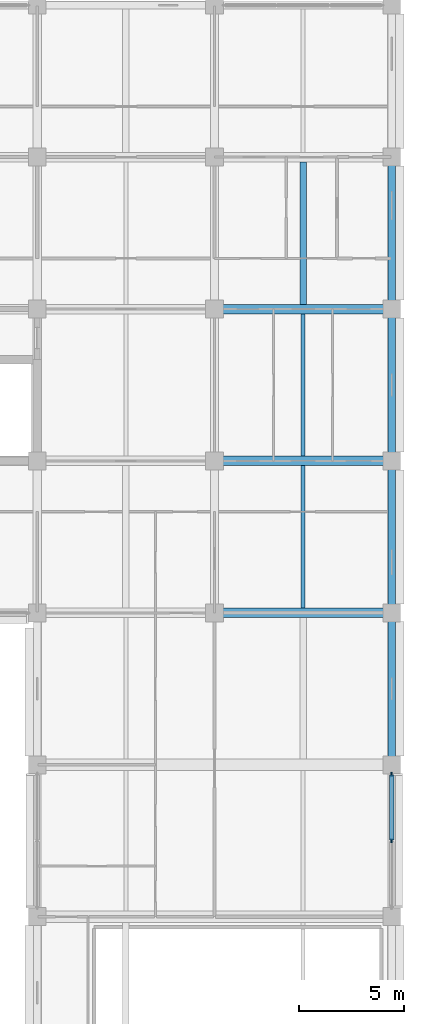
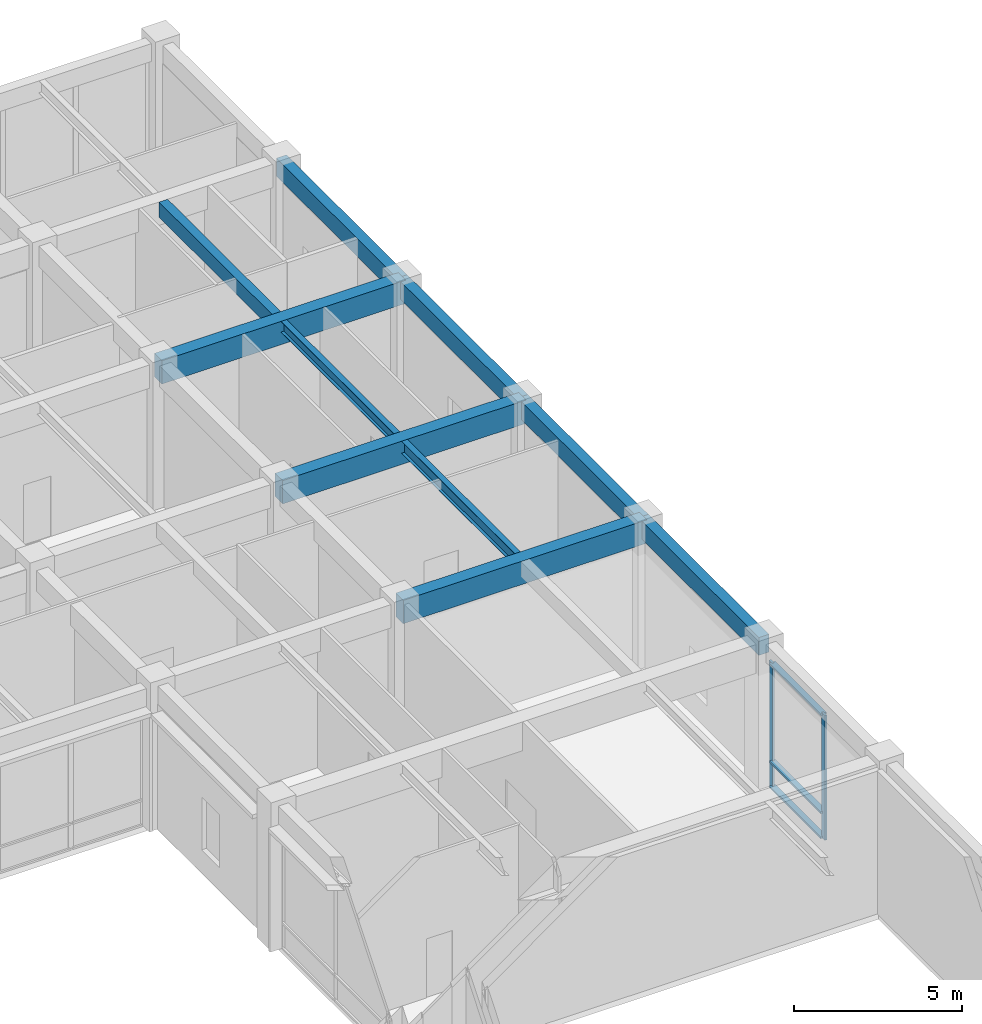
# One storey, part 23 of 58: 10 beams, 5 members, 1 element without a shape of its own.
"""IFC4 building model written with IfcOpenShell, lengths in metres."""

from ifc_helpers import new_model, si_unit, direction, frame, origin, origin_2d, place, context, subcontext, project, spatial, rectangle, i_section, extrude, material, layer, layer_set, material_profile, profile_set, type_object, element, aggregate, save


model = new_model("IFC4")

# Units and contexts
model_context = context("Model", 3, precision=1e-05, world=origin(), true_north=direction((0.0, 1.0)))
body_context = subcontext(model_context, "Body", "Model", "MODEL_VIEW")
ifc_project = project(units=[si_unit("LENGTHUNIT", "METRE"), si_unit("AREAUNIT", "SQUARE_METRE"), si_unit("VOLUMEUNIT", "CUBIC_METRE"), si_unit("PLANEANGLEUNIT", "RADIAN"), si_unit("MASSUNIT", "GRAM", prefix="KILO")], contexts=[model_context])

# Site, building, storey
site_placement = place(None, origin())
site = spatial("IfcSite", under=ifc_project, at=site_placement, CompositionType="ELEMENT")
building_placement = place(site_placement, origin())
building = spatial("IfcBuilding", under=site, at=building_placement, Name="Chengyuan Square Courthouse", CompositionType="ELEMENT")
storey_placement = place(building_placement, frame((0.0, 0.0, 16.199951171875)))
storey = spatial("IfcBuildingStorey", under=building, at=storey_placement, Name="L04", CompositionType="ELEMENT", Elevation=16.199951171875)

# Beams
ifc_material_1 = material(Name="Concrete C40", Category="concrete")
ifc_material_profile_1 = material_profile(ifc_material_1, rectangle(XDim=0.449951171875, YDim=0.85009765625, at=origin_2d()), Name="RC-BM-450x850")
ifc_profile_set_1 = profile_set([ifc_material_profile_1], Name="Concrete C40")
beam_type_1 = type_object("IfcBeamType", Name="BM-01", PredefinedType="USERDEFINED", material=ifc_profile_set_1)
for number, where, z_axis, x_axis, name in (
    (1, (159.60009765625, 79.199951171875, 4.775146484375), (1.0, 0.0, 0.0), (0.0, 1.0, 0.0), "Girder BM-L04-2880"),
    (2, (159.60009765625, 86.39990234375, 4.775146484375), (1.0, 0.0, 0.0), (0.0, 1.0, 0.0), "Girder BM-L04-2900"),
    (3, (159.60009765625, 93.60009765625, 4.775146484375), (1.0, 0.0, 0.0), (0.0, 1.0, 0.0), "Girder BM-L04-2920"),
):
    element("IfcBeam", number, at=place(storey_placement, frame(where, z_axis=z_axis, x_axis=x_axis)), inside=storey, type_object=beam_type_1, Name=name, ObjectType="GIRDER", PredefinedType="USERDEFINED", context=body_context, shape_type="SweptSolid", body=[
        extrude(rectangle(XDim=0.449951171875, YDim=0.85009765625, at=origin_2d()), origin(), (0.0, 0.0, 1.0), 8.39990234375),
    ])
ifc_material_profile_2 = material_profile(ifc_material_1, rectangle(XDim=0.35009765625, YDim=0.64990234375, at=origin_2d()), Name="RC-BM-350x650")
ifc_profile_set_2 = profile_set([ifc_material_profile_2], Name="Concrete C40")
beam_type_2 = type_object("IfcBeamType", Name="BM-03", PredefinedType="SPANDREL", material=ifc_profile_set_2)
for number, where, z_axis, x_axis, name in (
    (4, (168.0, 72.0, 4.875), (0.0, 1.0, 0.0), (-1.0, 0.0, 0.0), "Girder BM-L04-3088"),
    (5, (168.0, 79.199951171875, 4.875), (0.0, 1.0, 0.0), (-1.0, 0.0, 0.0), "Girder BM-L04-3089"),
):
    element("IfcBeam", number, at=place(storey_placement, frame(where, z_axis=z_axis, x_axis=x_axis)), inside=storey, type_object=beam_type_2, Name=name, PredefinedType="SPANDREL", context=body_context, shape_type="SweptSolid", body=[
        extrude(rectangle(XDim=0.35009765625, YDim=0.64990234375, at=origin_2d()), origin(), (0.0, 0.0, 1.0), 7.199951171875),
    ])
beam_1_placement = place(storey_placement, frame((168.0, 86.39990234375, 4.875), z_axis=(0.0, 1.0, 0.0), x_axis=(-1.0, 0.0, 0.0)))
element("IfcBeam", 6, at=beam_1_placement, inside=storey, type_object=beam_type_2, Name="Girder BM-L04-3090", PredefinedType="SPANDREL", context=body_context, shape_type="SweptSolid", body=[
    extrude(rectangle(XDim=0.35009765625, YDim=0.64990234375, at=origin_2d()), origin(), (0.0, 0.0, 1.0), 7.2001953125),
])
beam_2_placement = place(storey_placement, frame((168.0, 93.60009765625, 4.875), z_axis=(0.0, 1.0, 0.0), x_axis=(-1.0, 0.0, 0.0)))
element("IfcBeam", 7, at=beam_2_placement, inside=storey, type_object=beam_type_2, Name="Girder BM-L04-3091", PredefinedType="SPANDREL", context=body_context, shape_type="SweptSolid", body=[
    extrude(rectangle(XDim=0.35009765625, YDim=0.64990234375, at=origin_2d()), origin(), (0.0, 0.0, 1.0), 7.199951171875),
])
ifc_material_profile_3 = material_profile(ifc_material_1, rectangle(XDim=0.300048828125, YDim=0.550048828125, at=origin_2d()), Name="RC-BM-300x550")
ifc_profile_set_3 = profile_set([ifc_material_profile_3], Name="Concrete C40")
beam_type_3 = type_object("IfcBeamType", Name="BM-04", PredefinedType="BEAM", material=ifc_profile_set_3)
beam_3_placement = place(storey_placement, frame((163.800048828125, 93.824951171875, 4.925048828125), z_axis=(0.0, 1.0, 0.0), x_axis=(-1.0, 0.0, 0.0)))
element("IfcBeam", 8, at=beam_3_placement, inside=storey, type_object=beam_type_3, Name="Secondary Floor Beam SBM-L04-3193", PredefinedType="BEAM", context=body_context, shape_type="SweptSolid", body=[
    extrude(rectangle(XDim=0.300048828125, YDim=0.550048828125, at=origin_2d()), origin(), (0.0, 0.0, 1.0), 6.75),
])
ifc_material_2 = material(Name="Steel Q355B", Category="steel")
ifc_material_profile_4 = material_profile(ifc_material_2, i_section(OverallWidth=0.199951171875, OverallDepth=0.449951171875, WebThickness=0.009033203125, FlangeThickness=0.013916015625, at=origin_2d()), Name="HN 450x200x9x14")
ifc_profile_set_4 = profile_set([ifc_material_profile_4], Name="Steel Q355B")
beam_type_4 = type_object("IfcBeamType", Name="BM-06", PredefinedType="BEAM", material=ifc_profile_set_4)
beam_4_placement = place(storey_placement, frame((163.800048828125, 79.425048828125, 4.97509765625), z_axis=(0.0, 1.0, 0.0), x_axis=(-1.0, 0.0, 0.0)))
element("IfcBeam", 9, at=beam_4_placement, inside=storey, type_object=beam_type_4, Name="Secondary Floor Beam SBM-L04-3191", PredefinedType="BEAM", context=body_context, shape_type="SweptSolid", body=[
    extrude(i_section(OverallWidth=0.199951171875, OverallDepth=0.449951171875, WebThickness=0.009033203125, FlangeThickness=0.013916015625, at=origin_2d()), origin(), (0.0, 0.0, 1.0), 6.75),
])
ifc_material_profile_5 = material_profile(ifc_material_2, i_section(OverallWidth=0.199951171875, OverallDepth=0.39990234375, WebThickness=0.008056640625, FlangeThickness=0.012939453125, at=origin_2d()), Name="HN 400x200x8x13")
ifc_profile_set_5 = profile_set([ifc_material_profile_5], Name="Steel Q355B")
beam_type_5 = type_object("IfcBeamType", Name="BM-07", PredefinedType="BEAM", material=ifc_profile_set_5)
beam_5_placement = place(storey_placement, frame((163.800048828125, 86.625, 5.0), z_axis=(0.0, 1.0, 0.0), x_axis=(-1.0, 0.0, 0.0)))
element("IfcBeam", 10, at=beam_5_placement, inside=storey, type_object=beam_type_5, Name="Secondary Floor Beam SBM-L04-3192", PredefinedType="BEAM", context=body_context, shape_type="SweptSolid", body=[
    extrude(i_section(OverallWidth=0.199951171875, OverallDepth=0.39990234375, WebThickness=0.008056640625, FlangeThickness=0.012939453125, at=origin_2d()), origin(), (0.0, 0.0, 1.0), 6.75),
])

# Curtain wall, members
ifc_material_3 = material(Name="Unitised Aluminium and Triple Low-E Glass", Category="aluminium")
ifc_layer = layer(ifc_material_3, 0.199951171875)
ifc_layer_set = layer_set([ifc_layer], Name="Unitised Aluminium and Triple Low-E Glass")
curtain_wall_type = type_object("IfcCurtainWallType", Name="CW-23", PredefinedType="USERDEFINED", material=ifc_layer_set)
curtain_wall_placement = place(storey_placement, origin())
curtain_wall = element("IfcCurtainWall", 11, at=curtain_wall_placement, inside=storey, type_object=curtain_wall_type, Name="Unitised Curtain Wall CW-L04-161", ObjectType="UNITISED CURTAIN WALL", PredefinedType="USERDEFINED")
ifc_material_4 = material(Name="Aluminium 6063-T6 Frame", Category="aluminium")
ifc_material_profile_6 = material_profile(ifc_material_4, rectangle(XDim=0.070068359375, YDim=0.199951171875, at=origin_2d()), Name="CW-MUL-70x200")
ifc_profile_set_6 = profile_set([ifc_material_profile_6], Name="Aluminium 6063-T6 Frame")
member_type_1 = type_object("IfcMemberType", Name="CWM-03", PredefinedType="MULLION", material=ifc_profile_set_6)
member_1_placement = place(storey_placement, frame((168.0, 68.39990234375, 0.0), z_axis=(0.0, 0.0, 1.0), x_axis=(-1.0, 0.0, 0.0)))
member_1 = element("IfcMember", 12, at=member_1_placement, type_object=member_type_1, Name="CW-23 mullion 2", PredefinedType="MULLION", context=body_context, shape_type="SweptSolid", body=[
    extrude(rectangle(XDim=0.070068359375, YDim=0.199951171875, at=origin_2d()), origin(), (0.0, 0.0, 1.0), 4.550048828125),
])
member_2_placement = place(storey_placement, frame((168.0, 71.5400390625, 0.0), z_axis=(0.0, 0.0, 1.0), x_axis=(-1.0, 0.0, 0.0)))
member_2 = element("IfcMember", 13, at=member_2_placement, type_object=member_type_1, Name="CW-23 mullion 3", PredefinedType="MULLION", context=body_context, shape_type="SweptSolid", body=[
    extrude(rectangle(XDim=0.070068359375, YDim=0.199951171875, at=origin_2d()), origin(), (0.0, 0.0, 1.0), 4.550048828125),
])
ifc_material_profile_7 = material_profile(ifc_material_4, rectangle(XDim=0.199951171875, YDim=0.070068359375, at=origin_2d()), Name="CW-TRN-70x160")
ifc_profile_set_7 = profile_set([ifc_material_profile_7], Name="Aluminium 6063-T6 Frame")
member_type_2 = type_object("IfcMemberType", Name="CWT-03", PredefinedType="USERDEFINED", material=ifc_profile_set_7)
member_3_placement = place(storey_placement, frame((168.0, 68.43505859375, 0.03515625), z_axis=(0.0, 1.0, 0.0), x_axis=(-1.0, 0.0, 0.0)))
member_3 = element("IfcMember", 14, at=member_3_placement, type_object=member_type_2, Name="CW-23 transom 2.1", ObjectType="TRANSOM", PredefinedType="USERDEFINED", context=body_context, shape_type="SweptSolid", body=[
    extrude(rectangle(XDim=0.199951171875, YDim=0.070068359375, at=origin_2d()), origin(), (0.0, 0.0, 1.0), 3.06982421875),
])
member_4_placement = place(storey_placement, frame((168.0, 68.43505859375, 0.949951171875), z_axis=(0.0, 1.0, 0.0), x_axis=(-1.0, 0.0, 0.0)))
member_4 = element("IfcMember", 15, at=member_4_placement, type_object=member_type_2, Name="CW-23 transom 2.2", ObjectType="TRANSOM", PredefinedType="USERDEFINED", context=body_context, shape_type="SweptSolid", body=[
    extrude(rectangle(XDim=0.199951171875, YDim=0.070068359375, at=origin_2d()), origin(), (0.0, 0.0, 1.0), 3.06982421875),
])
member_5_placement = place(storey_placement, frame((168.0, 68.43505859375, 4.51513671875), z_axis=(0.0, 1.0, 0.0), x_axis=(-1.0, 0.0, 0.0)))
member_5 = element("IfcMember", 16, at=member_5_placement, type_object=member_type_2, Name="CW-23 transom 2.3", ObjectType="TRANSOM", PredefinedType="USERDEFINED", context=body_context, shape_type="SweptSolid", body=[
    extrude(rectangle(XDim=0.199951171875, YDim=0.070068359375, at=origin_2d()), origin(), (0.0, 0.0, 1.0), 3.06982421875),
])
aggregate(curtain_wall, [member_1, member_2, member_3, member_4, member_5])

save(model, "model.ifc")
